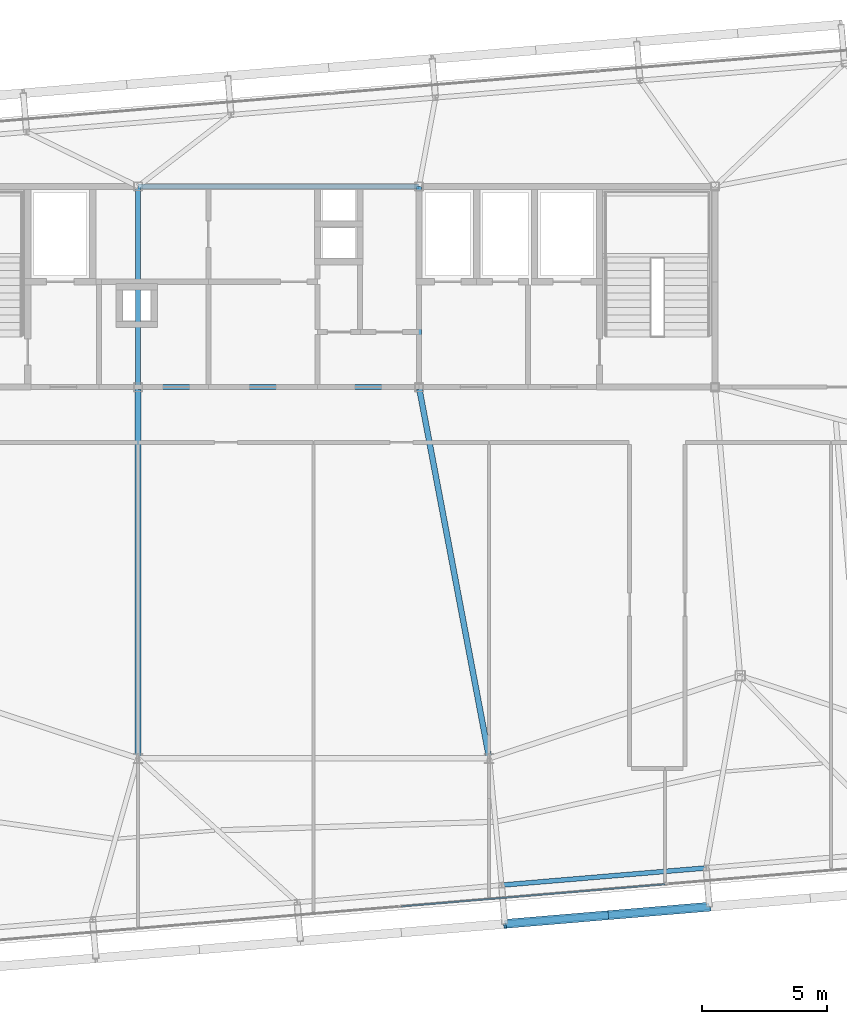
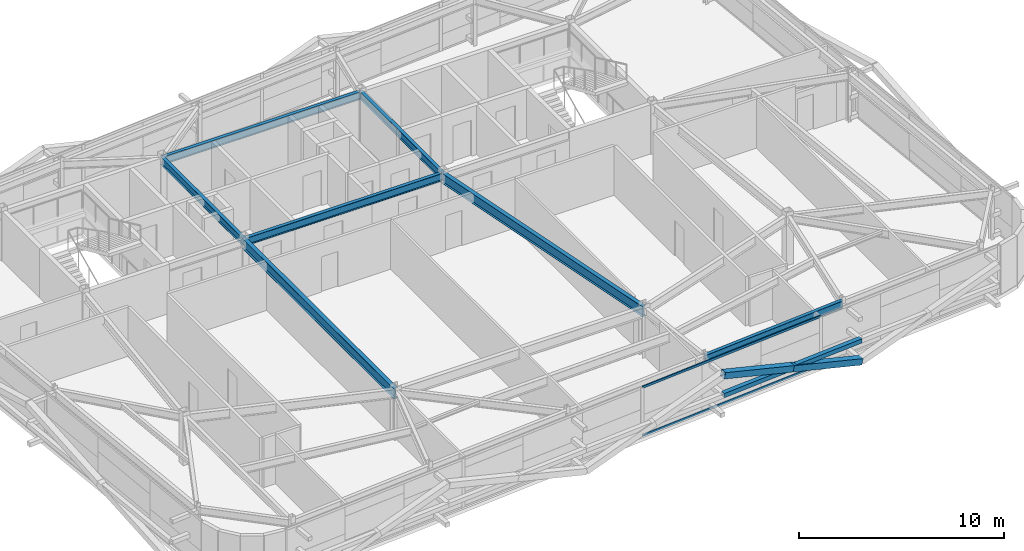
# One storey, part 15 of 39: 7 beams, 5 members, 1 element without a shape of its own.
"""IFC4 building model written with IfcOpenShell, lengths in metres."""

from ifc_helpers import new_model, si_unit, direction, frame, origin, origin_2d, place, context, subcontext, project, spatial, hollow_rectangle, i_section, extrude, source, transform, mapped, material, layer, layer_set, material_profile, profile_set, type_object, element, aggregate, save


model = new_model("IFC4")

# Units and contexts
model_context = context("Model", 3, precision=1e-05, world=origin(), true_north=direction((0.0, 1.0)))
body_context = subcontext(model_context, "Body", "Model", "MODEL_VIEW")
ifc_project = project(units=[si_unit("LENGTHUNIT", "METRE"), si_unit("AREAUNIT", "SQUARE_METRE"), si_unit("VOLUMEUNIT", "CUBIC_METRE"), si_unit("PLANEANGLEUNIT", "RADIAN"), si_unit("MASSUNIT", "GRAM", prefix="KILO")], contexts=[model_context])

# Site, building, storey
site_placement = place(None, origin())
site = spatial("IfcSite", under=ifc_project, at=site_placement, CompositionType="ELEMENT")
building_placement = place(site_placement, origin())
building = spatial("IfcBuilding", under=site, at=building_placement, Name="Taldren Reach Tower", CompositionType="ELEMENT")
storey_placement = place(building_placement, frame((0.0, 0.0, 178.85009765625)))
storey = spatial("IfcBuildingStorey", under=building, at=storey_placement, Name="L54", CompositionType="ELEMENT", Elevation=178.85009765625)

# Beams
ifc_material_1 = material(Name="Steel Gr 350 (350PLUS)", Category="steel")
ifc_material_profile_1 = material_profile(ifc_material_1, i_section(OverallWidth=0.19091796875, OverallDepth=0.4599609375, WebThickness=0.010009765625, FlangeThickness=0.01611328125, at=origin_2d()), Name="460UB82.1")
ifc_profile_set_1 = profile_set([ifc_material_profile_1], Name="Steel Gr 350 (350PLUS)")
beam_type_1 = type_object("IfcBeamType", Name="BM-UB460A", PredefinedType="BEAM", material=ifc_profile_set_1)
shared_shape_1 = source(origin(), body_context, "Body", "SweptSolid", [
    extrude(i_section(OverallWidth=0.19091796875, OverallDepth=0.4599609375, WebThickness=0.010009765625, FlangeThickness=0.01611328125, at=origin_2d()), origin(), (0.0, 0.0, 1.0), 11.199951171875),
])
for number, where, z_axis, x_axis, name in (
    (1, (28.0, 24.0, 2.699951171875), (1.0, 0.0, 0.0), (0.0, 1.0, 0.0), "Core-spine girder L54-SP02"),
    (2, (28.0, 32.0, 2.699951171875), (1.0, 0.0, 0.0), (0.0, 1.0, 0.0), "Core-spine girder L54-SP05"),
):
    element("IfcBeam", number, at=place(storey_placement, frame(where, z_axis=z_axis, x_axis=x_axis)), inside=storey, type_object=beam_type_1, Name=name, PredefinedType="BEAM", context=body_context, shape_type="MappedRepresentation", body=[
        mapped(shared_shape_1, transform((0.0, 0.0, 0.0), scale=1.0)),
    ])
shared_shape_2 = source(origin(), body_context, "Body", "SweptSolid", [
    extrude(i_section(OverallWidth=0.19091796875, OverallDepth=0.4599609375, WebThickness=0.010009765625, FlangeThickness=0.01611328125, at=origin_2d()), origin(), (0.0, 0.0, 1.0), 8.0),
])
for number, where, z_axis, x_axis, name in (
    (3, (28.0, 24.0, 2.699951171875), (0.0, 1.0, 0.0), (-1.0, 0.0, 0.0), "Core-spine girder L54-SP07"),
    (4, (39.199951171875, 24.0, 2.699951171875), (0.0, 1.0, 0.0), (-1.0, 0.0, 0.0), "Core-spine girder L54-SP08"),
):
    element("IfcBeam", number, at=place(storey_placement, frame(where, z_axis=z_axis, x_axis=x_axis)), inside=storey, type_object=beam_type_1, Name=name, PredefinedType="BEAM", context=body_context, shape_type="MappedRepresentation", body=[
        mapped(shared_shape_2, transform((0.0, 0.0, 0.0), scale=1.0)),
    ])
ifc_material_profile_2 = material_profile(ifc_material_1, i_section(OverallWidth=0.22802734375, OverallDepth=0.60205078125, WebThickness=0.010498046875, FlangeThickness=0.014892578125, at=origin_2d()), Name="610UB101")
ifc_profile_set_2 = profile_set([ifc_material_profile_2], Name="Steel Gr 350 (350PLUS)")
beam_type_2 = type_object("IfcBeamType", Name="BM-UB610B", PredefinedType="BEAM", material=ifc_profile_set_2)
shared_shape_3 = source(origin(), body_context, "Body", "SweptSolid", [
    extrude(i_section(OverallWidth=0.22802734375, OverallDepth=0.60205078125, WebThickness=0.010498046875, FlangeThickness=0.014892578125, at=origin_2d()), origin(), (0.0, 0.0, 1.0), 14.800048828125),
])
beam_1_placement = place(storey_placement, frame((28.0, 24.0, 2.62890625), z_axis=(0.0, -1.0, 0.0), x_axis=(1.0, 0.0, 0.0)))
element("IfcBeam", 5, at=beam_1_placement, inside=storey, type_object=beam_type_2, Name="Core-spine girder L54-SP14", PredefinedType="BEAM", context=body_context, shape_type="MappedRepresentation", body=[
    mapped(shared_shape_3, transform((0.0, 0.0, 0.0), scale=1.0)),
])
shared_shape_4 = source(origin(), body_context, "Body", "SweptSolid", [
    extrude(i_section(OverallWidth=0.22802734375, OverallDepth=0.60205078125, WebThickness=0.010498046875, FlangeThickness=0.014892578125, at=origin_2d()), origin(), (0.0, 0.0, 1.0), 15.0625),
])
beam_2_placement = place(storey_placement, frame((39.199951171875, 24.0, 2.62890625), z_axis=(0.185894205668, -0.982569765614, 0.0), x_axis=(0.982569765614, 0.185894205668, 0.0)))
element("IfcBeam", 6, at=beam_2_placement, inside=storey, type_object=beam_type_2, Name="Core-spine girder L54-SP15", PredefinedType="BEAM", context=body_context, shape_type="MappedRepresentation", body=[
    mapped(shared_shape_4, transform((0.0, 0.0, 0.0), scale=1.0)),
])
ifc_material_profile_3 = material_profile(ifc_material_1, i_section(OverallWidth=0.18994140625, OverallDepth=0.4541015625, WebThickness=0.008544921875, FlangeThickness=0.0126953125, at=origin_2d()), Name="460UB67.1")
ifc_profile_set_3 = profile_set([ifc_material_profile_3], Name="Steel Gr 350 (350PLUS)")
beam_type_3 = type_object("IfcBeamType", Name="SP-UB460B", PredefinedType="SPANDREL", material=ifc_profile_set_3)
shared_shape_5 = source(origin(), body_context, "Body", "SweptSolid", [
    extrude(i_section(OverallWidth=0.18994140625, OverallDepth=0.4541015625, WebThickness=0.008544921875, FlangeThickness=0.0126953125, at=origin_2d()), origin(), (0.0, 0.0, 1.0), 8.179931640625),
])
beam_3_placement = place(storey_placement, frame((42.49365234375, 4.1474609375, 2.702880859375), z_axis=(0.99649182565, 0.08369015123, 0.0), x_axis=(-0.08369015123, 0.99649182565, 0.0)))
element("IfcBeam", 7, at=beam_3_placement, inside=storey, type_object=beam_type_3, Name="Perimeter spandrel B4 S4-S5 L54", PredefinedType="SPANDREL", context=body_context, shape_type="MappedRepresentation", body=[
    mapped(shared_shape_5, transform((0.0, 0.0, 0.0), scale=1.0)),
])

# Members
ifc_material_2 = material(Name="Steel Gr 350 (C350L0)", Category="steel")
ifc_material_profile_4 = material_profile(ifc_material_2, hollow_rectangle(XDim=0.25, YDim=0.25, WallThickness=0.010009765625, at=origin_2d()), Name="250x250x10.0SHS")
ifc_profile_set_4 = profile_set([ifc_material_profile_4], Name="Steel Gr 350 (C350L0)")
member_type_1 = type_object("IfcMemberType", Name="MB-POST250", PredefinedType="POST", material=ifc_profile_set_4)
shared_shape_6 = source(origin(), body_context, "Body", "SweptSolid", [
    extrude(hollow_rectangle(XDim=0.25, YDim=0.25, WallThickness=0.010009765625, at=origin_2d()), origin(), (0.0, 0.0, 1.0), 8.179931640625),
])
member_1_placement = place(storey_placement, frame((42.623291015625, 2.60302734375, 1.434814453125), z_axis=(0.996494523218, 0.083658025296, 0.0), x_axis=(-0.083658025296, 0.996494523218, 0.0)))
element("IfcMember", 8, at=member_1_placement, inside=storey, type_object=member_type_1, Name="Exoskeleton mid-height ring chord B4-S4 L54", PredefinedType="POST", context=body_context, shape_type="MappedRepresentation", body=[
    mapped(shared_shape_6, transform((0.0, 0.0, 0.0), scale=1.0)),
])
ifc_material_3 = material(Name="Steel Gr 450 (C450L0)", Category="steel")
ifc_material_profile_5 = material_profile(ifc_material_3, hollow_rectangle(XDim=0.360107421875, YDim=0.360107421875, WallThickness=0.0126953125, at=origin_2d()), Name="360x360x12.7SHS")
ifc_profile_set_5 = profile_set([ifc_material_profile_5], Name="Steel Gr 450 (C450L0)")
member_type_2 = type_object("IfcMemberType", Name="MB-EXO356", PredefinedType="BRACE", material=ifc_profile_set_5)
shared_shape_7 = source(origin(), body_context, "Body", "SweptSolid", [
    extrude(hollow_rectangle(XDim=0.360107421875, YDim=0.360107421875, WallThickness=0.0126953125, at=origin_2d()), origin(), (0.0, 0.0, 1.0), 4.2666015625),
])
for number, where, z_axis, x_axis, name in (
    (9, (50.774658203125, 3.287353515625, 0.219970703125), (-0.955244723646, -0.080223619417, 0.284730906006), (0.083687662192, -0.996492034688, 0.0), "Exoskeleton Diagrid Brace B4-S4 L54"),
    (10, (46.698974609375, 2.945068359375, 1.434814453125), (-0.955233542365, -0.080165460216, 0.28478479336), (0.083628388178, -0.996497010879, 0.0), "Exoskeleton Diagrid Brace B4-S4 L54"),
):
    element("IfcMember", number, at=place(storey_placement, frame(where, z_axis=z_axis, x_axis=x_axis)), inside=storey, type_object=member_type_2, Name=name, PredefinedType="BRACE", context=body_context, shape_type="MappedRepresentation", body=[
        mapped(shared_shape_7, transform((0.0, 0.0, 0.0), scale=1.0)),
    ])

# Curtain wall, members
ifc_material_4 = material(Name="Aluminium and Low-E Glass Unitised System", Category="aluminium")
ifc_layer = layer(ifc_material_4, 0.159912109375)
ifc_layer_set = layer_set([ifc_layer], Name="Aluminium and Low-E Glass Unitised System")
curtain_wall_type = type_object("IfcCurtainWallType", Name="CW-SYS-5", PredefinedType="NOTDEFINED", material=ifc_layer_set)
curtain_wall_placement = place(storey_placement, origin())
curtain_wall = element("IfcCurtainWall", 11, at=curtain_wall_placement, inside=storey, type_object=curtain_wall_type, Name="Unitised curtain wall CW-L54-S", PredefinedType="NOTDEFINED")
ifc_material_5 = material(Name="Anodised Aluminium 6063-T6", Category="aluminium")
ifc_material_profile_6 = material_profile(ifc_material_5, hollow_rectangle(XDim=0.06005859375, YDim=0.135009765625, WallThickness=0.00341796875, at=origin_2d()), Name="ALU-135x60x3.5RHS")
ifc_profile_set_6 = profile_set([ifc_material_profile_6], Name="Anodised Aluminium 6063-T6")
member_type_3 = type_object("IfcMemberType", Name="CW-TRN-150", PredefinedType="USERDEFINED", material=ifc_profile_set_6)
shared_shape_8 = source(origin(), body_context, "Body", "SweptSolid", [
    extrude(hollow_rectangle(XDim=0.06005859375, YDim=0.135009765625, WallThickness=0.00341796875, at=origin_2d()), origin(), (0.0, 0.0, 1.0), 10.55517578125),
])
member_2_placement = place(storey_placement, frame((38.495361328125, 3.300048828125, 0.02978515625), z_axis=(0.996494202684, 0.083661843255, 0.0), x_axis=(-0.083661843255, 0.996494202684, 0.0)))
member_2 = element("IfcMember", 12, at=member_2_placement, type_object=member_type_3, Name="CW-5 transom 3.1", ObjectType="TRANSOM", PredefinedType="USERDEFINED", context=body_context, shape_type="MappedRepresentation", body=[
    mapped(shared_shape_8, transform((0.0, 0.0, 0.0), scale=1.0)),
])
member_3_placement = place(storey_placement, frame((38.495361328125, 3.300048828125, 2.89990234375), z_axis=(0.996494202684, 0.083661843255, 0.0), x_axis=(-0.083661843255, 0.996494202684, 0.0)))
member_3 = element("IfcMember", 13, at=member_3_placement, type_object=member_type_3, Name="CW-5 transom 3.2", ObjectType="TRANSOM", PredefinedType="USERDEFINED", context=body_context, shape_type="MappedRepresentation", body=[
    mapped(shared_shape_8, transform((0.0, 0.0, 0.0), scale=1.0)),
])
aggregate(curtain_wall, [member_2, member_3])

save(model, "model.ifc")
